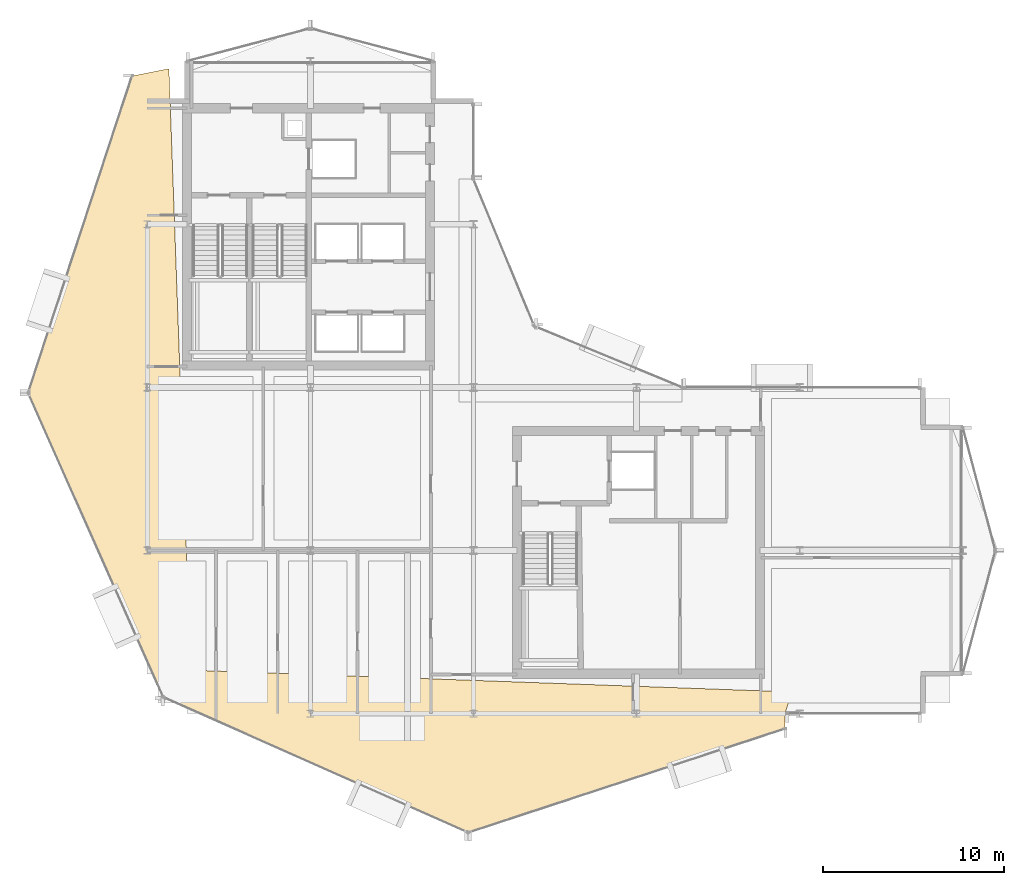
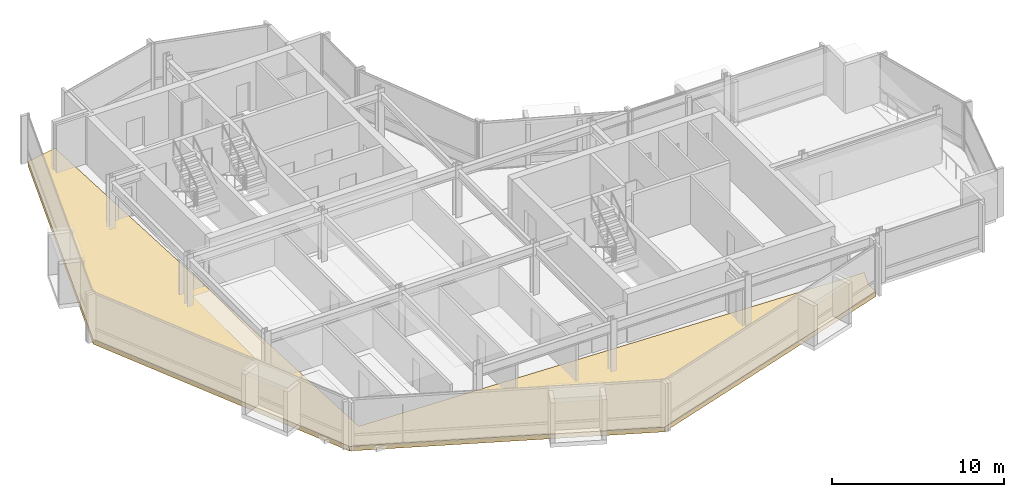
# One storey, part 24 of 27: 1 covering.
"""IFC4 building model written with IfcOpenShell, lengths in metres."""

from ifc_helpers import new_model, si_unit, direction, frame, origin, place, context, subcontext, project, spatial, polyline, outline, extrude, material, layer, layer_set, type_object, element, save


model = new_model("IFC4")

# Units and contexts
model_context = context("Model", 3, precision=1e-05, world=origin(), true_north=direction((0.0, 1.0)))
body_context = subcontext(model_context, "Body", "Model", "MODEL_VIEW")
ifc_project = project(units=[si_unit("LENGTHUNIT", "METRE"), si_unit("AREAUNIT", "SQUARE_METRE"), si_unit("VOLUMEUNIT", "CUBIC_METRE"), si_unit("PLANEANGLEUNIT", "RADIAN"), si_unit("MASSUNIT", "GRAM", prefix="KILO")], contexts=[model_context])

# Site, building, storey
site_placement = place(None, origin())
site = spatial("IfcSite", under=ifc_project, at=site_placement, CompositionType="ELEMENT")
building_placement = place(site_placement, origin())
building = spatial("IfcBuilding", under=site, at=building_placement, Name="Solvaryn Broadcast Tower", CompositionType="ELEMENT")
storey_placement = place(building_placement, frame((0.0, 0.0, 221.0)))
storey = spatial("IfcBuildingStorey", under=building, at=storey_placement, Name="L55", CompositionType="ELEMENT", Elevation=221.0)

# Covering
ifc_material = material(Name="Sculpted Architectural Terracotta Wave Fascia", Category="masonry")
ifc_layer = layer(ifc_material, 0.340087890625)
ifc_layer_set = layer_set([ifc_layer], Name="CV-WAVE-TRAY")
covering_type = type_object("IfcCoveringType", Name="CV-WAVE-TRAY", PredefinedType="CLADDING", material=ifc_layer_set)
covering_placement = place(storey_placement, frame((0.0, 0.0, -0.300048828125)))
element("IfcCovering", 1, at=covering_placement, inside=storey, type_object=covering_type, Name="L55 Stepped Cylindrical Drum Floor Apron", PredefinedType="CLADDING", context=body_context, shape_type="SweptSolid", body=[
    extrude(outline(polyline([(10.199951171875, 44.58203125), (8.1630859375, 44.181884765625), (2.43310546875, 26.7060546875), (9.89794921875, 9.89794921875), (26.7060546875, 2.43310546875), (44.181884765625, 8.1630859375), (44.181884765625, 9.0), (44.58203125, 10.199951171875), (11.39990234375, 11.39990234375), (10.199951171875, 44.58203125)])), origin(), (0.0, 0.0, 1.0), 0.330078125),
])

save(model, "model.ifc")
